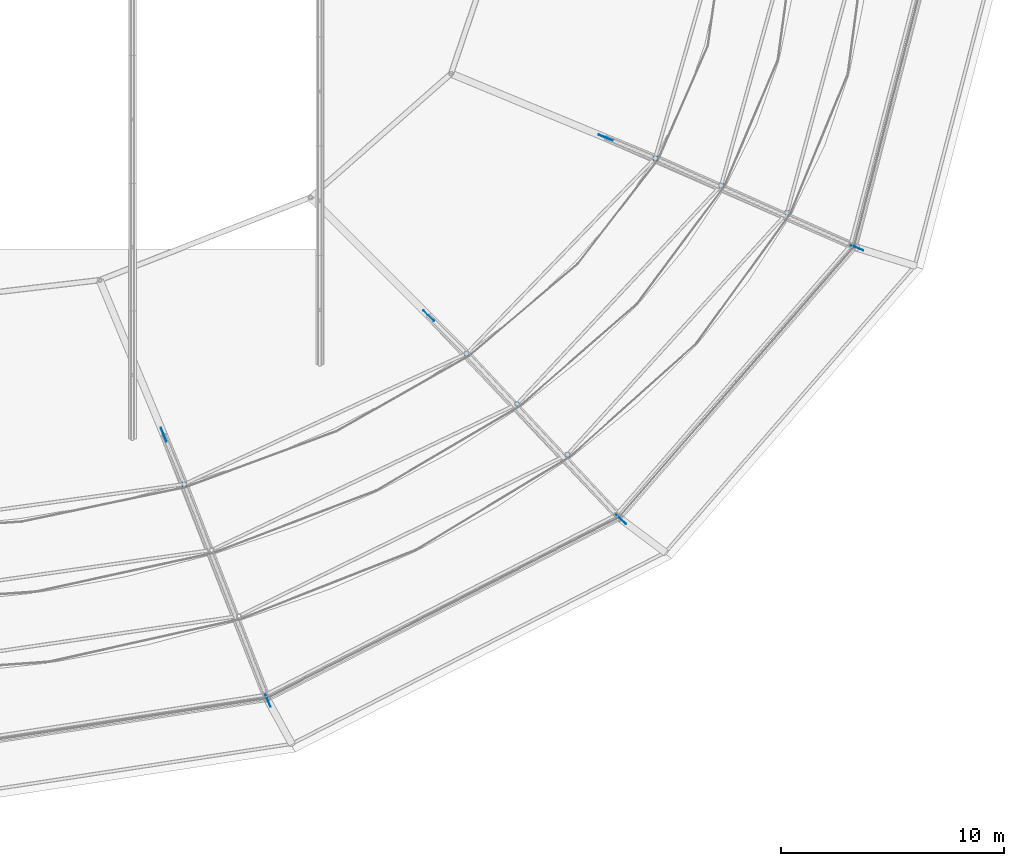
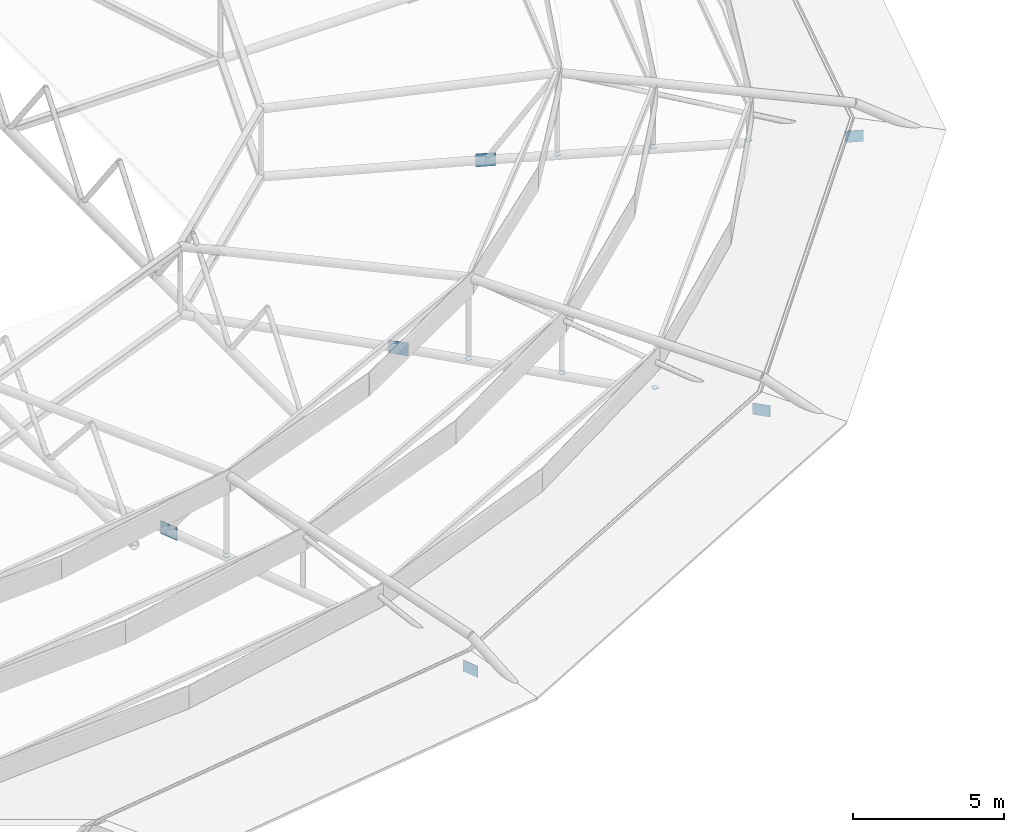
# One storey, part 117 of 134: 13 plates.
"""IFC4 building model written with IfcOpenShell, lengths in metres."""

from ifc_helpers import new_model, si_unit, derived_unit, direction, frame, origin, origin_2d, place, context, subcontext, project, spatial, rectangle, extrude, material, layer, layer_set, type_object, element, save


model = new_model("IFC4")

# Units and contexts
model_context = context("Model", 3, precision=1e-05, world=origin(), true_north=direction((0.0, 1.0)))
body_context = subcontext(model_context, "Body", "Model", "MODEL_VIEW")
ifc_project = project(units=[si_unit("LENGTHUNIT", "METRE"), si_unit("AREAUNIT", "SQUARE_METRE"), si_unit("VOLUMEUNIT", "CUBIC_METRE"), si_unit("PLANEANGLEUNIT", "RADIAN"), si_unit("MASSUNIT", "GRAM", prefix="KILO"), derived_unit("THERMALTRANSMITTANCEUNIT", [(si_unit("MASSUNIT", "GRAM", prefix="KILO"), 1), (si_unit("TIMEUNIT", "SECOND"), -3), (si_unit("THERMODYNAMICTEMPERATUREUNIT", "KELVIN"), -1)])], contexts=[model_context])

# Site, building, storey
site_placement = place(None, origin())
site = spatial("IfcSite", under=ifc_project, at=site_placement, CompositionType="ELEMENT")
building_placement = place(site_placement, origin())
building = spatial("IfcBuilding", under=site, at=building_placement, Name="Kharveza Railside Sports Centre", CompositionType="ELEMENT")
storey_placement = place(building_placement, frame((0.0, 0.0, 12.89990234375)))
storey = spatial("IfcBuildingStorey", under=building, at=storey_placement, Name="L03", CompositionType="ELEMENT", Elevation=12.89990234375)

# Plates
ifc_material = material(Name="Steel S355J2", Category="steel")
ifc_layer_1 = layer(ifc_material, 0.02001953125, Name="Steel S355J2")
ifc_layer_set_1 = layer_set([ifc_layer_1], Name="Steel S355J2")
plate_type_1 = type_object("IfcPlateType", Name="PL-EC09", PredefinedType="USERDEFINED", material=ifc_layer_set_1)
for number, where, z_axis, x_axis, name in (
    (1, (86.70263671875, 26.78271484375, -0.059814453125), (0.0, 0.0, 1.0), (1.0, 0.0, 0.0), "PLT-EC-034"),
    (2, (96.544189453125, 37.618408203125, -0.059814453125), (0.0, 0.0, 1.0), (1.0, 0.0, 0.0), "PLT-EC-035"),
    (3, (84.43994140625, 29.04541015625, -0.059814453125), (0.0, 0.0, 1.0), (1.0, 0.0, 0.0), "PLT-EC-050"),
    (4, (93.587646484375, 38.843017578125, -0.059814453125), (0.0, 0.0, 1.0), (1.0, 0.0, 0.0), "PLT-EC-051"),
    (5, (69.524658203125, 25.455322265625, -0.059814453125), (0.0, 0.0, 1.0), (1.0, 0.0, 0.0), "PLT-EC-065"),
    (6, (82.17724609375, 31.30810546875, -0.059814453125), (0.0, 0.0, 1.0), (1.0, 0.0, 0.0), "PLT-EC-066"),
    (7, (90.63134765625, 40.0673828125, -0.059814453125), (0.0, 0.0, 1.0), (1.0, 0.0, 0.0), "PLT-EC-067"),
):
    element("IfcPlate", number, at=place(storey_placement, frame(where, z_axis=z_axis, x_axis=x_axis)), inside=storey, type_object=plate_type_1, Name=name, ObjectType="END_CAP_PLATE", PredefinedType="USERDEFINED", context=body_context, shape_type="SweptSolid", body=[
        extrude(rectangle(XDim=0.194091796875, YDim=0.194091796875, at=origin_2d()), origin(), (0.0, 0.0, 1.0), 0.02001953125),
    ])
ifc_layer_2 = layer(ifc_material, 0.030029296875, Name="Steel S355J2")
ifc_layer_set_2 = layer_set([ifc_layer_2], Name="Steel S355J2")
plate_type_2 = type_object("IfcPlateType", Name="PL-GS01", PredefinedType="USERDEFINED", material=ifc_layer_set_2)
for number, where, z_axis, x_axis, name in (
    (8, (68.606201171875, 27.672607421875, -0.309814453125), (0.0, 0.0, 1.0), (0.382683432365, -0.923879532511, 0.0), "PLT-GS-DRUM-14"),
    (9, (80.47998046875, 33.005126953125, -0.309814453125), (0.0, 0.0, 1.0), (0.707106781187, -0.707106781187, 0.0), "PLT-GS-DRUM-15"),
    (10, (88.4140625, 40.986083984375, -0.309814453125), (0.0, 0.0, 1.0), (0.923879532511, -0.382683432365, 0.0), "PLT-GS-DRUM-16"),
):
    element("IfcPlate", number, at=place(storey_placement, frame(where, z_axis=z_axis, x_axis=x_axis)), inside=storey, type_object=plate_type_2, Name=name, ObjectType="GUSSET_PLATE", PredefinedType="USERDEFINED", context=body_context, shape_type="SweptSolid", body=[
        extrude(rectangle(XDim=0.679931640625, YDim=0.030029296875, at=origin_2d()), origin(), (0.0, 0.0, 1.0), 0.52001953125),
    ])
ifc_layer_3 = layer(ifc_material, 0.02490234375, Name="Steel S355J2")
ifc_layer_set_3 = layer_set([ifc_layer_3], Name="Steel S355J2")
plate_type_3 = type_object("IfcPlateType", Name="PL-GS02", PredefinedType="USERDEFINED", material=ifc_layer_set_3)
for number, where, z_axis, x_axis, name in (
    (11, (73.27490234375, 15.75439453125, -0.27978515625), (0.0, 0.0, 1.0), (0.382683432365, -0.923879532511, 0.0), "PLT-GS-RAKER-14"),
    (12, (89.106689453125, 23.883544921875, -0.27978515625), (0.0, 0.0, 1.0), (0.707106781187, -0.707106781187, 0.0), "PLT-GS-RAKER-15"),
    (13, (99.685302734375, 36.04931640625, -0.27978515625), (0.0, 0.0, 1.0), (0.923879532511, -0.382683432365, 0.0), "PLT-GS-RAKER-16"),
):
    element("IfcPlate", number, at=place(storey_placement, frame(where, z_axis=z_axis, x_axis=x_axis)), inside=storey, type_object=plate_type_3, Name=name, ObjectType="GUSSET_PLATE", PredefinedType="USERDEFINED", context=body_context, shape_type="SweptSolid", body=[
        extrude(rectangle(XDim=0.60009765625, YDim=0.02490234375, at=origin_2d()), origin(), (0.0, 0.0, 1.0), 0.4599609375),
    ])

save(model, "model.ifc")
